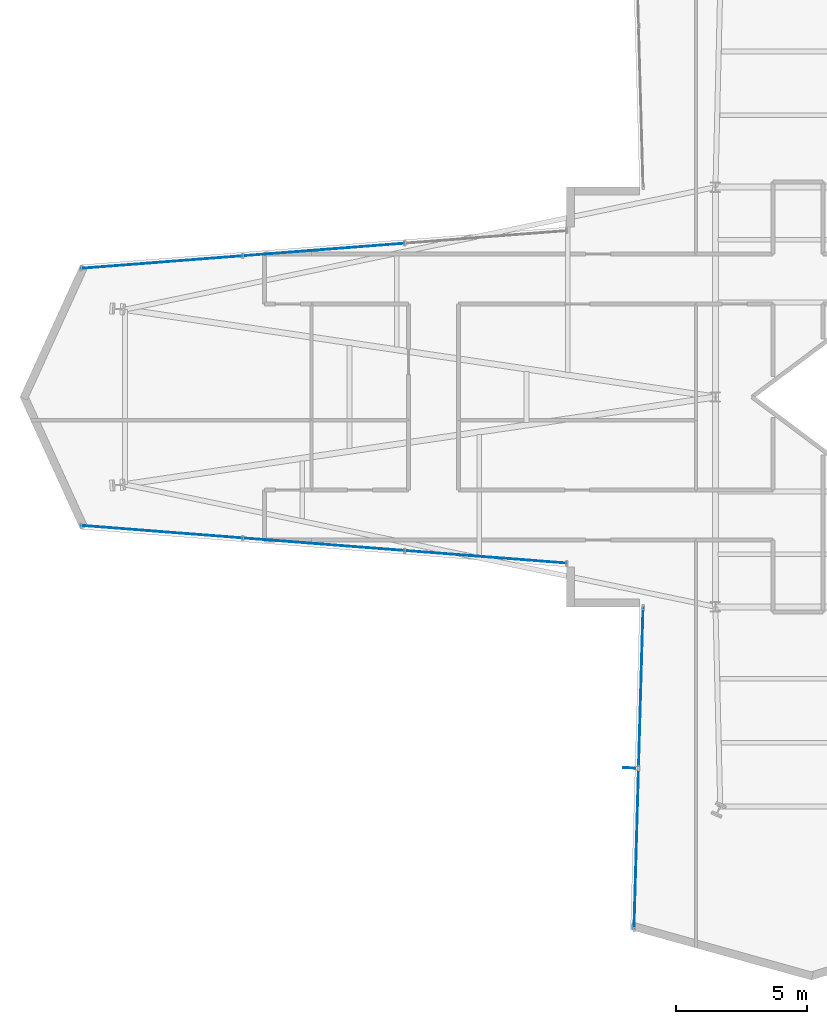
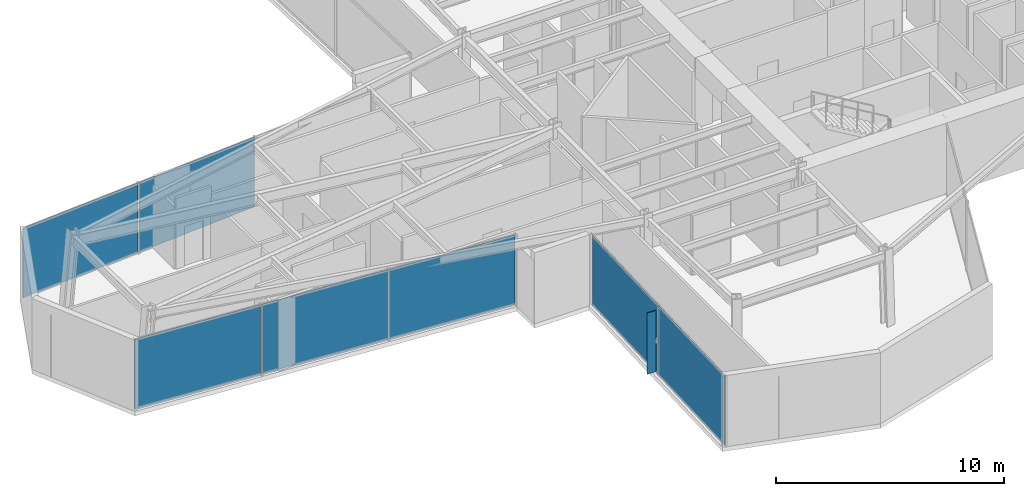
# One storey, part 23 of 29: 8 plates, 3 elements without a shape of their own.
"""IFC4 building model written with IfcOpenShell, lengths in metres."""

from ifc_helpers import new_model, si_unit, direction, frame, origin, origin_2d, place, context, subcontext, project, spatial, rectangle, extrude, material, layer, layer_set, type_object, element, aggregate, save


model = new_model("IFC4")

# Units and contexts
model_context = context("Model", 3, precision=1e-05, world=origin(), true_north=direction((0.0, 1.0)))
body_context = subcontext(model_context, "Body", "Model", "MODEL_VIEW")
ifc_project = project(units=[si_unit("LENGTHUNIT", "METRE"), si_unit("AREAUNIT", "SQUARE_METRE"), si_unit("VOLUMEUNIT", "CUBIC_METRE"), si_unit("PLANEANGLEUNIT", "RADIAN"), si_unit("MASSUNIT", "GRAM", prefix="KILO")], contexts=[model_context])

# Site, building, storey
site_placement = place(None, origin())
site = spatial("IfcSite", under=ifc_project, at=site_placement, CompositionType="ELEMENT")
building_placement = place(site_placement, origin())
building = spatial("IfcBuilding", under=site, at=building_placement, Name="Veymaron Broadcast Tower", CompositionType="ELEMENT")
storey_placement = place(building_placement, frame((0.0, 0.0, 58.050048828125)))
storey = spatial("IfcBuildingStorey", under=building, at=storey_placement, Name="L12", CompositionType="ELEMENT", Elevation=58.050048828125)

# Curtain wall, plates
ifc_material_1 = material(Name="Anodised aluminium AA 6063-T6 and laminated low-E dark glass", Category="aluminium")
ifc_layer_1 = layer(ifc_material_1, 0.179931640625)
ifc_layer_set_1 = layer_set([ifc_layer_1], Name="Anodised aluminium AA 6063-T6 and laminated low-E dark glass")
curtain_wall_type = type_object("IfcCurtainWallType", Name="CW-SYS-02", PredefinedType="NOTDEFINED", material=ifc_layer_set_1)
curtain_wall_1_placement = place(storey_placement, origin())
curtain_wall_1 = element("IfcCurtainWall", 1, at=curtain_wall_1_placement, inside=storey, type_object=curtain_wall_type, Name="L12 dark-glass curtain wall CW-L12-E11-1", PredefinedType="NOTDEFINED")
ifc_material_2 = material(Name="Double-silver solar-control dark glass IGU 32 mm", Category="glass")
ifc_layer_2 = layer(ifc_material_2, 0.031982421875)
ifc_layer_set_2 = layer_set([ifc_layer_2], Name="Double-silver solar-control dark glass IGU 32 mm")
plate_type_1 = type_object("IfcPlateType", Name="CW-PNL-02", PredefinedType="CURTAIN_PANEL", material=ifc_layer_set_2)
plate_1_placement = place(storey_placement, frame((16.27490234375, 29.618408203125, 0.0400390625), z_axis=(0.0, 0.0, 1.0), x_axis=(-0.997008399866, -0.07729327653, 0.0)))
plate_1 = element("IfcPlate", 2, at=plate_1_placement, type_object=plate_type_1, Name="CW-L12-E11-1 unitised curtain panel 1", PredefinedType="CURTAIN_PANEL", context=body_context, shape_type="SweptSolid", body=[
    extrude(rectangle(XDim=6.134521484375, YDim=0.031982421875, at=origin_2d()), origin(), (0.0, 0.0, 1.0), 3.72998046875),
])
plate_2_placement = place(storey_placement, frame((10.098876953125, 29.139404296875, 0.0400390625), z_axis=(0.0, 0.0, 1.0), x_axis=(-0.997008399866, -0.07729327653, 0.0)))
plate_2 = element("IfcPlate", 3, at=plate_2_placement, type_object=plate_type_1, Name="CW-L12-E11-1 unitised curtain panel 2", PredefinedType="CURTAIN_PANEL", context=body_context, shape_type="SweptSolid", body=[
    extrude(rectangle(XDim=6.134521484375, YDim=0.031982421875, at=origin_2d()), origin(), (0.0, 0.0, 1.0), 3.72998046875),
])
aggregate(curtain_wall_1, [plate_1, plate_2])

curtain_wall_2_placement = place(storey_placement, origin())
curtain_wall_2 = element("IfcCurtainWall", 4, at=curtain_wall_2_placement, inside=storey, type_object=curtain_wall_type, Name="L12 dark-glass curtain wall CW-L12-E14-1", PredefinedType="NOTDEFINED")
plate_3_placement = place(storey_placement, frame((10.098876953125, 18.860595703125, 0.0400390625), z_axis=(0.0, 0.0, 1.0), x_axis=(0.997008399866, -0.07729327653, 0.0)))
plate_3 = element("IfcPlate", 5, at=plate_3_placement, type_object=plate_type_1, Name="CW-L12-E14-1 unitised curtain panel 0", PredefinedType="CURTAIN_PANEL", context=body_context, shape_type="SweptSolid", body=[
    extrude(rectangle(XDim=6.134521484375, YDim=0.031982421875, at=origin_2d()), origin(), (0.0, 0.0, 1.0), 3.72998046875),
])
plate_4_placement = place(storey_placement, frame((16.27490234375, 18.381591796875, 0.0400390625), z_axis=(0.0, 0.0, 1.0), x_axis=(0.997008399866, -0.07729327653, 0.0)))
plate_4 = element("IfcPlate", 6, at=plate_4_placement, type_object=plate_type_1, Name="CW-L12-E14-1 unitised curtain panel 1", PredefinedType="CURTAIN_PANEL", context=body_context, shape_type="SweptSolid", body=[
    extrude(rectangle(XDim=6.134521484375, YDim=0.031982421875, at=origin_2d()), origin(), (0.0, 0.0, 1.0), 3.72998046875),
])
plate_5_placement = place(storey_placement, frame((22.45068359375, 17.90283203125, 0.0400390625), z_axis=(0.0, 0.0, 1.0), x_axis=(0.997008399866, -0.07729327653, 0.0)))
plate_5 = element("IfcPlate", 7, at=plate_5_placement, type_object=plate_type_1, Name="CW-L12-E14-1 unitised curtain panel 2", PredefinedType="CURTAIN_PANEL", context=body_context, shape_type="SweptSolid", body=[
    extrude(rectangle(XDim=6.134521484375, YDim=0.031982421875, at=origin_2d()), origin(), (0.0, 0.0, 1.0), 3.72998046875),
])
aggregate(curtain_wall_2, [plate_3, plate_4, plate_5])

curtain_wall_3_placement = place(storey_placement, origin())
curtain_wall_3 = element("IfcCurtainWall", 8, at=curtain_wall_3_placement, inside=storey, type_object=curtain_wall_type, Name="L12 dark-glass curtain wall CW-L12-E17-1", PredefinedType="NOTDEFINED")
plate_6_placement = place(storey_placement, frame((28.35888671875, 12.922119140625, 0.0400390625), z_axis=(0.0, 0.0, 1.0), x_axis=(-0.028113549573, -0.999604736048, 0.0)))
plate_6 = element("IfcPlate", 9, at=plate_6_placement, type_object=plate_type_1, Name="CW-L12-E17-1 unitised curtain panel 0", PredefinedType="CURTAIN_PANEL", context=body_context, shape_type="SweptSolid", body=[
    extrude(rectangle(XDim=6.09033203125, YDim=0.031982421875, at=origin_2d()), origin(), (0.0, 0.0, 1.0), 3.72998046875),
])
plate_7_placement = place(storey_placement, frame((28.18603515625, 6.774169921875, 0.0400390625), z_axis=(0.0, 0.0, 1.0), x_axis=(-0.028113549573, -0.999604736048, 0.0)))
plate_7 = element("IfcPlate", 10, at=plate_7_placement, type_object=plate_type_1, Name="CW-L12-E17-1 unitised curtain panel 1", PredefinedType="CURTAIN_PANEL", context=body_context, shape_type="SweptSolid", body=[
    extrude(rectangle(XDim=6.09033203125, YDim=0.031982421875, at=origin_2d()), origin(), (0.0, 0.0, 1.0), 3.72998046875),
])
aggregate(curtain_wall_3, [plate_6, plate_7])

# Plate
ifc_material_3 = material(Name="Dark-anodised aluminium AA 6061-T6", Category="aluminium")
ifc_layer_3 = layer(ifc_material_3, 0.034912109375)
ifc_layer_set_3 = layer_set([ifc_layer_3], Name="Dark-anodised aluminium AA 6061-T6")
plate_type_2 = type_object("IfcPlateType", Name="FIN-CHEV-01", PredefinedType="USERDEFINED", material=ifc_layer_set_3)
plate_8_placement = place(storey_placement, frame((27.91748046875, 9.858154296875, 0.2666015625), z_axis=(0.0, 0.0, 1.0), x_axis=(-0.999604736048, 0.028113549573, 0.0)))
element("IfcPlate", 11, at=plate_8_placement, inside=storey, type_object=plate_type_2, Name="CW-L12-E17-1 chevron fin 1", ObjectType="FIN", PredefinedType="USERDEFINED", context=body_context, shape_type="SweptSolid", body=[
    extrude(rectangle(XDim=0.449951171875, YDim=0.034912109375, at=origin_2d()), origin(), (0.0, 0.0, 1.0), 3.276611328125),
])

save(model, "model.ifc")
